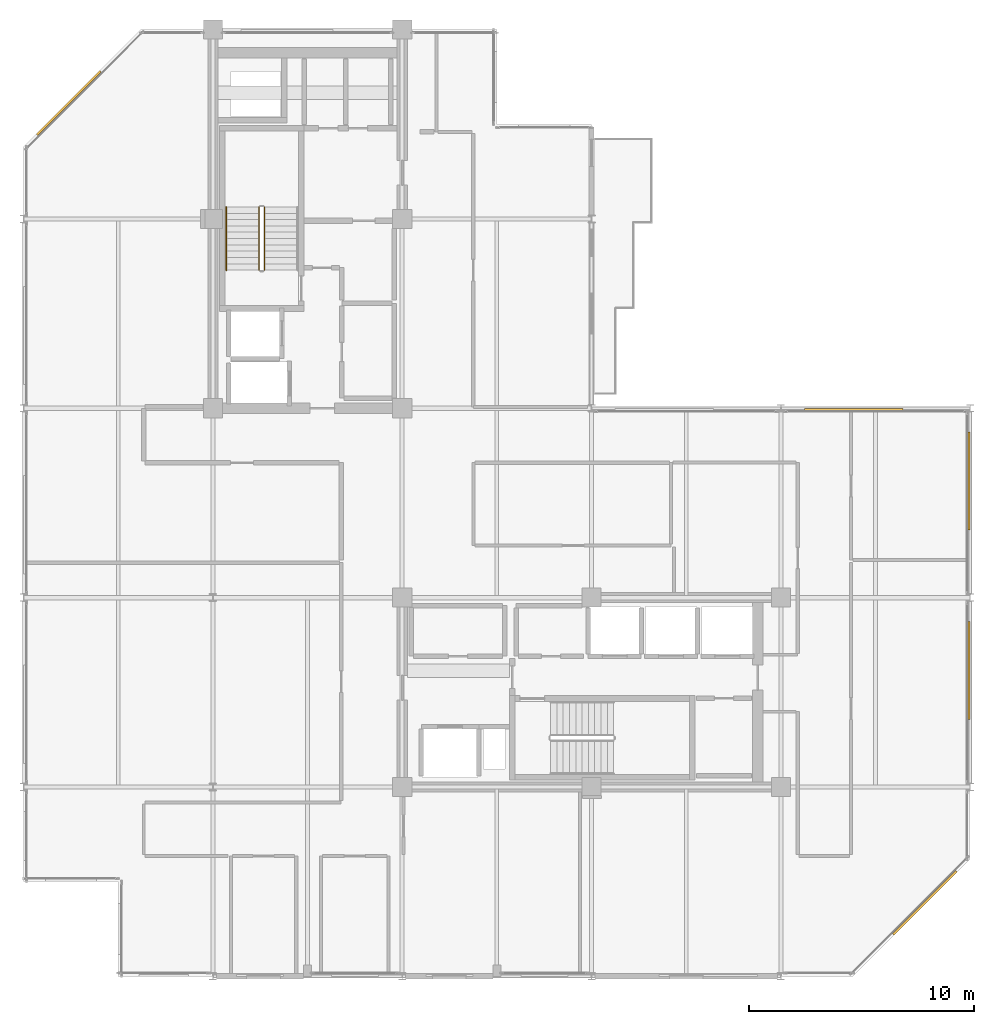
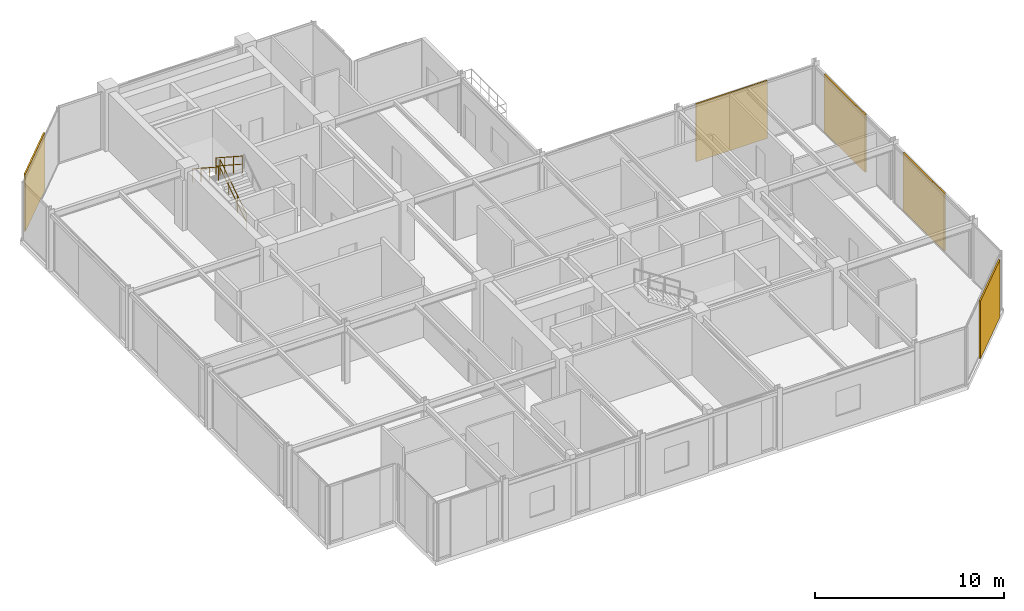
# One storey, part 25 of 26: 5 coverings, 3 railings.
"""IFC4 building model written with IfcOpenShell, lengths in metres."""

from ifc_helpers import new_model, si_unit, direction, frame, origin, origin_2d, place, context, subcontext, project, spatial, rectangle, circle, extrude, material, layer, layer_set, type_object, element, save


model = new_model("IFC4")

# Units and contexts
model_context = context("Model", 3, precision=1e-05, world=origin(), true_north=direction((0.0, 1.0)))
body_context = subcontext(model_context, "Body", "Model", "MODEL_VIEW")
ifc_project = project(units=[si_unit("LENGTHUNIT", "METRE"), si_unit("AREAUNIT", "SQUARE_METRE"), si_unit("VOLUMEUNIT", "CUBIC_METRE"), si_unit("PLANEANGLEUNIT", "RADIAN"), si_unit("MASSUNIT", "GRAM", prefix="KILO")], contexts=[model_context])

# Site, building, storey
site_placement = place(None, origin())
site = spatial("IfcSite", under=ifc_project, at=site_placement, CompositionType="ELEMENT")
building_placement = place(site_placement, origin())
building = spatial("IfcBuilding", under=site, at=building_placement, Name="Nerrivon Quay Data Exchange", CompositionType="ELEMENT")
storey_placement = place(building_placement, frame((0.0, 0.0, 258.199951171875)))
storey = spatial("IfcBuildingStorey", under=building, at=storey_placement, Name="L61", CompositionType="ELEMENT", Elevation=258.199951171875)

# Coverings
ifc_material_1 = material(Name="Architectural terracotta ceramic", Category="masonry")
ifc_layer = layer(ifc_material_1, 0.090087890625)
ifc_layer_set = layer_set([ifc_layer], Name="Architectural terracotta ceramic")
covering_type = type_object("IfcCoveringType", Name="COV-SCR-TERR", PredefinedType="CLADDING", material=ifc_layer_set)
for number, where, z_axis, x_axis, name in (
    (1, (39.9921875, 3.255859375, 0.0), (0.0, 0.0, 1.0), (-0.707106781187, -0.707106781187, 0.0), "L61 Perforated Terracotta SOLAR SCREEN Cassette"),
    (2, (2.0078125, 38.744140625, 0.0), (0.0, 0.0, 1.0), (0.707106781187, 0.707106781187, 0.0), "L61 Perforated Terracotta SOLAR SCREEN Cassette"),
):
    element("IfcCovering", number, at=place(storey_placement, frame(where, z_axis=z_axis, x_axis=x_axis)), inside=storey, type_object=covering_type, Name=name, PredefinedType="CLADDING", context=body_context, shape_type="SweptSolid", body=[
        extrude(rectangle(XDim=3.970947265625, YDim=0.090087890625, at=origin_2d()), origin(), (0.0, 0.0, 1.0), 3.72509765625),
    ])
covering_placement = place(storey_placement, frame((36.829345703125, 25.155029296875, 0.0), z_axis=(0.0, 0.0, 1.0), x_axis=(1.0, 0.0, 0.0)))
element("IfcCovering", 3, at=covering_placement, inside=storey, type_object=covering_type, Name="L61 Perforated Terracotta SOLAR SCREEN Cassette", PredefinedType="CLADDING", context=body_context, shape_type="SweptSolid", body=[
    extrude(rectangle(XDim=4.367919921875, YDim=0.090087890625, at=origin_2d()), origin(), (0.0, 0.0, 1.0), 3.72509765625),
])
for number, where, z_axis, x_axis, name in (
    (4, (41.955078125, 21.96875, 0.0), (0.0, 0.0, 1.0), (0.0, -1.0, 0.0), "L61 Perforated Terracotta SOLAR SCREEN Cassette"),
    (5, (41.955078125, 13.56884765625, 0.0), (0.0, 0.0, 1.0), (0.0, -1.0, 0.0), "L61 Perforated Terracotta SOLAR SCREEN Cassette"),
):
    element("IfcCovering", number, at=place(storey_placement, frame(where, z_axis=z_axis, x_axis=x_axis)), inside=storey, type_object=covering_type, Name=name, PredefinedType="CLADDING", context=body_context, shape_type="SweptSolid", body=[
        extrude(rectangle(XDim=4.35888671875, YDim=0.090087890625, at=origin_2d()), origin(), (0.0, 0.0, 1.0), 3.72509765625),
    ])

# Railings
ifc_material_2 = material(Name="Steel Grade C350L0 (350 MPa)", Category="steel")
railing_type_1 = type_object("IfcRailingType", Name="RAIL-HAND-HR1", PredefinedType="HANDRAIL", material=ifc_material_2)
railing_1_placement = place(storey_placement, frame((9.0, 34.1298828125, 2.181884765625)))
element("IfcRailing", 6, at=railing_1_placement, inside=storey, type_object=railing_type_1, Name="L61 ST01 stair handrail 2", PredefinedType="HANDRAIL", context=body_context, shape_type="SweptSolid", body=[
    extrude(circle(Radius=0.02392578125, at=origin_2d()), frame((0.0, 0.0, 0.8759765625), z_axis=(0.0, -0.83868413941, 0.544618136222), x_axis=(1.0, 0.0, 0.0)), (0.0, 0.0, 1.0), 3.33837890625),
    extrude(circle(Radius=0.02099609375, at=origin_2d()), origin(), (0.0, 0.0, 1.0), 0.851806640625),
    extrude(circle(Radius=0.02099609375, at=origin_2d()), frame((0.0, -0.933349609375, 0.60595703125)), (0.0, 0.0, 1.0), 0.851806640625),
    extrude(circle(Radius=0.02099609375, at=origin_2d()), frame((0.0, -1.866455078125, 1.212158203125)), (0.0, 0.0, 1.0), 0.851806640625),
    extrude(circle(Radius=0.02099609375, at=origin_2d()), frame((0.0, -2.7998046875, 1.818115234375)), (0.0, 0.0, 1.0), 0.851806640625),
])
railing_type_2 = type_object("IfcRailingType", Name="RAIL-STAIR-GR1", PredefinedType="BALUSTRADE", material=ifc_material_2)
railing_2_placement = place(storey_placement, frame((10.699951171875, 31.330078125, 0.181884765625)))
element("IfcRailing", 7, at=railing_2_placement, inside=storey, type_object=railing_type_2, Name="L61 ST01 stair guard 1", PredefinedType="BALUSTRADE", context=body_context, shape_type="SweptSolid", body=[
    extrude(circle(Radius=0.02392578125, at=origin_2d()), frame((0.0, 0.0, 1.076171875), z_axis=(0.0, 0.83868413941, 0.544618136222), x_axis=(-1.0, 0.0, 0.0)), (0.0, 0.0, 1.0), 3.33837890625),
    extrude(circle(Radius=0.02392578125, at=origin_2d()), frame((0.0, 0.0, 0.550048828125), z_axis=(0.0, 0.83868413941, 0.544618136222), x_axis=(-1.0, 0.0, 0.0)), (0.0, 0.0, 1.0), 3.33837890625),
    extrude(circle(Radius=0.02099609375, at=origin_2d()), origin(), (0.0, 0.0, 1.0), 1.052001953125),
    extrude(circle(Radius=0.02099609375, at=origin_2d()), frame((0.0, 0.933349609375, 0.60595703125)), (0.0, 0.0, 1.0), 1.052001953125),
    extrude(circle(Radius=0.02099609375, at=origin_2d()), frame((0.0, 1.866455078125, 1.212158203125)), (0.0, 0.0, 1.0), 1.052001953125),
    extrude(circle(Radius=0.02099609375, at=origin_2d()), frame((0.0, 2.7998046875, 1.818115234375)), (0.0, 0.0, 1.0), 1.052001953125),
])
railing_3_placement = place(storey_placement, frame((10.449951171875, 34.1298828125, 2.181884765625)))
element("IfcRailing", 8, at=railing_3_placement, inside=storey, type_object=railing_type_2, Name="L61 ST01 stair guard 3", PredefinedType="BALUSTRADE", context=body_context, shape_type="SweptSolid", body=[
    extrude(circle(Radius=0.02392578125, at=origin_2d()), frame((0.0, 0.0, 1.076171875), z_axis=(0.0, -0.83868413941, 0.544618136222), x_axis=(1.0, 0.0, 0.0)), (0.0, 0.0, 1.0), 3.33837890625),
    extrude(circle(Radius=0.02392578125, at=origin_2d()), frame((0.0, 0.0, 0.550048828125), z_axis=(0.0, -0.83868413941, 0.544618136222), x_axis=(1.0, 0.0, 0.0)), (0.0, 0.0, 1.0), 3.33837890625),
    extrude(circle(Radius=0.02099609375, at=origin_2d()), origin(), (0.0, 0.0, 1.0), 1.052001953125),
    extrude(circle(Radius=0.02099609375, at=origin_2d()), frame((0.0, -0.933349609375, 0.60595703125)), (0.0, 0.0, 1.0), 1.052001953125),
    extrude(circle(Radius=0.02099609375, at=origin_2d()), frame((0.0, -1.866455078125, 1.212158203125)), (0.0, 0.0, 1.0), 1.052001953125),
    extrude(circle(Radius=0.02099609375, at=origin_2d()), frame((0.0, -2.7998046875, 1.818115234375)), (0.0, 0.0, 1.0), 1.052001953125),
])

save(model, "model.ifc")
